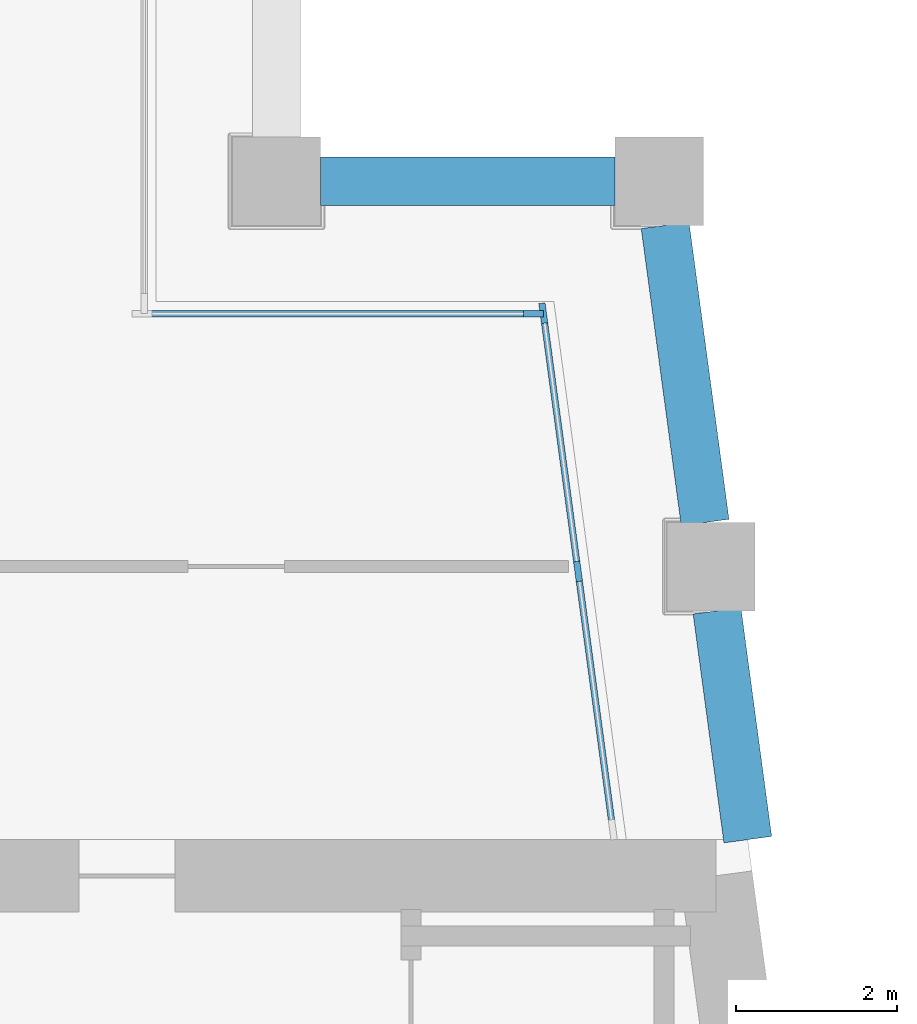
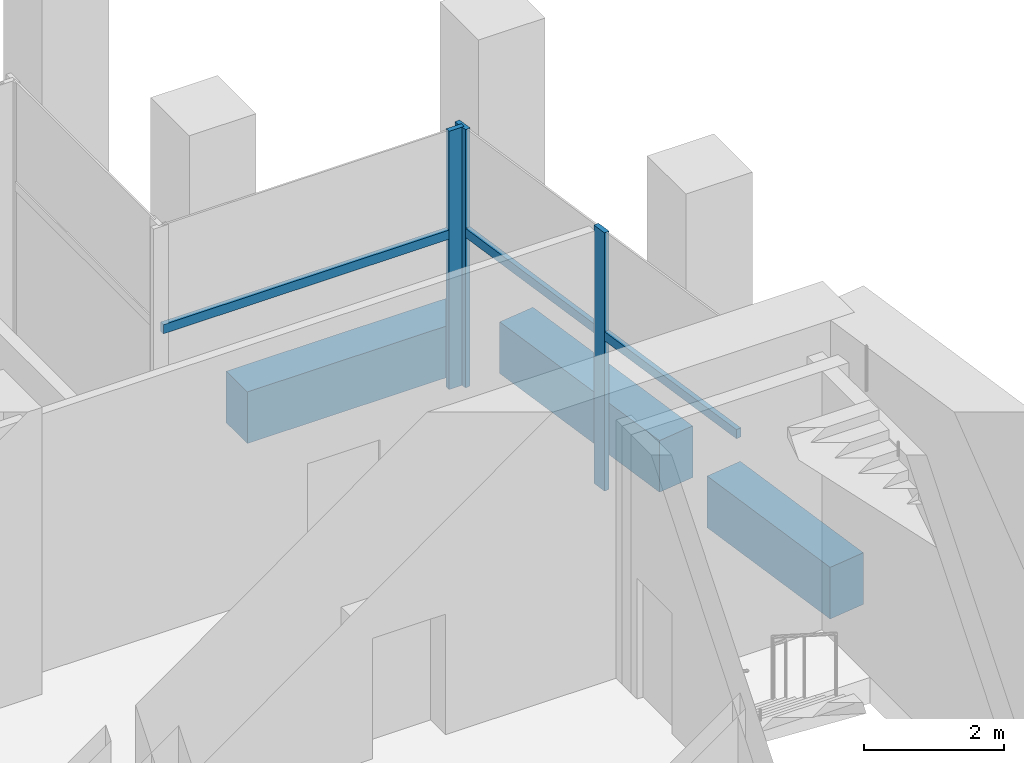
# One storey, part 5 of 16: 6 members, 3 beams, 2 elements without a shape of their own.
"""IFC4 building model written with IfcOpenShell, lengths in metres."""

from ifc_helpers import new_model, si_unit, direction, frame, origin, origin_2d, place, context, subcontext, project, spatial, rectangle, extrude, material, material_profile, profile_set, type_object, element, aggregate, save


model = new_model("IFC4")

# Units and contexts
model_context = context("Model", 3, precision=1e-05, world=origin(), true_north=direction((0.0, 1.0)))
body_context = subcontext(model_context, "Body", "Model", "MODEL_VIEW")
ifc_project = project(units=[si_unit("LENGTHUNIT", "METRE"), si_unit("AREAUNIT", "SQUARE_METRE"), si_unit("VOLUMEUNIT", "CUBIC_METRE"), si_unit("PLANEANGLEUNIT", "RADIAN"), si_unit("MASSUNIT", "GRAM", prefix="KILO")], contexts=[model_context])

# Site, building, storey
site_placement = place(None, origin())
site = spatial("IfcSite", under=ifc_project, at=site_placement, CompositionType="ELEMENT")
building_placement = place(site_placement, origin())
building = spatial("IfcBuilding", under=site, at=building_placement, Name="Candeia Pilgrim Tower and Theatre", CompositionType="ELEMENT")
storey_placement = place(building_placement, frame((0.0, 0.0, 192.199951171875)))
storey = spatial("IfcBuildingStorey", under=building, at=storey_placement, Name="L46", CompositionType="ELEMENT", Elevation=192.199951171875)

# Curtain wall, members
ifc_material_1 = material(Name="Aluminium framed sky lobby glazing", Category="aluminium")
curtain_wall_type = type_object("IfcCurtainWallType", Name="CW-S curtain wall", PredefinedType="NOTDEFINED", material=ifc_material_1)
curtain_wall_1_placement = place(storey_placement, origin())
curtain_wall_1 = element("IfcCurtainWall", 1, at=curtain_wall_1_placement, inside=storey, type_object=curtain_wall_type, Name="Curtain wall CW-S L46.310", PredefinedType="NOTDEFINED")
ifc_material_2 = material(Name="Anodised aluminium", Category="aluminium")
ifc_material_profile_1 = material_profile(ifc_material_2, rectangle(XDim=0.080078125, YDim=0.25, at=origin_2d()))
ifc_profile_set_1 = profile_set([ifc_material_profile_1], Name="Anodised aluminium")
member_type_1 = type_object("IfcMemberType", Name="CW-S mullion 80x250", PredefinedType="MULLION", material=ifc_profile_set_1)
member_1_placement = place(storey_placement, frame((136.0546875, 135.739990234375, 0.0), z_axis=(0.0, 0.0, 1.0), x_axis=(-0.991060661622, -0.133412012145, 0.0)))
member_1 = element("IfcMember", 2, at=member_1_placement, type_object=member_type_1, Name="CW-S mullion 2", PredefinedType="MULLION", context=body_context, shape_type="SweptSolid", body=[
    extrude(rectangle(XDim=0.080078125, YDim=0.25, at=origin_2d()), origin(), (0.0, 0.0, 1.0), 4.5),
])
member_2_placement = place(storey_placement, frame((135.621826171875, 138.9560546875, 0.0), z_axis=(0.0, 0.0, 1.0), x_axis=(-0.991060661622, -0.133412012145, 0.0)))
member_2 = element("IfcMember", 3, at=member_2_placement, type_object=member_type_1, Name="CW-S mullion 3", PredefinedType="MULLION", context=body_context, shape_type="SweptSolid", body=[
    extrude(rectangle(XDim=0.080078125, YDim=0.25, at=origin_2d()), origin(), (0.0, 0.0, 1.0), 4.5),
])

# Curtain wall, member
curtain_wall_2_placement = place(storey_placement, origin())
curtain_wall_2 = element("IfcCurtainWall", 4, at=curtain_wall_2_placement, inside=storey, type_object=curtain_wall_type, Name="Curtain wall CW-S L46.400", PredefinedType="NOTDEFINED")
member_3_placement = place(storey_placement, frame((135.49755859375, 138.949951171875, 0.0), z_axis=(0.0, 0.0, 1.0), x_axis=(0.0, -1.0, 0.0)))
member_3 = element("IfcMember", 5, at=member_3_placement, type_object=member_type_1, Name="CW-S mullion 1", PredefinedType="MULLION", context=body_context, shape_type="SweptSolid", body=[
    extrude(rectangle(XDim=0.080078125, YDim=0.25, at=origin_2d()), origin(), (0.0, 0.0, 1.0), 4.5),
])

# Member
ifc_material_profile_2 = material_profile(ifc_material_2, rectangle(XDim=0.080078125, YDim=0.159912109375, at=origin_2d()))
ifc_profile_set_2 = profile_set([ifc_material_profile_2], Name="Anodised aluminium")
member_type_2 = type_object("IfcMemberType", Name="CW-S transom 80x160", PredefinedType="USERDEFINED", material=ifc_profile_set_2)
member_4_placement = place(storey_placement, frame((136.482421875, 132.5634765625, 2.699951171875), z_axis=(-0.133436779219, 0.991057327278, 0.0), x_axis=(-0.991057327278, -0.133436779219, 0.0)))
member_4 = element("IfcMember", 6, at=member_4_placement, type_object=member_type_2, Name="CW-S transom 1.1", ObjectType="TRANSOM", PredefinedType="USERDEFINED", context=body_context, shape_type="SweptSolid", body=[
    extrude(rectangle(XDim=0.080078125, YDim=0.159912109375, at=origin_2d()), origin(), (0.0, 0.0, 1.0), 3.165283203125),
])

member_5_placement = place(storey_placement, frame((136.04931640625, 135.779541015625, 2.699951171875), z_axis=(-0.133361020312, 0.991067524572, 0.0), x_axis=(-0.991067524572, -0.133361020312, 0.0)))
member_5 = element("IfcMember", 7, at=member_5_placement, type_object=member_type_2, Name="CW-S transom 2.1", ObjectType="TRANSOM", PredefinedType="USERDEFINED", context=body_context, shape_type="SweptSolid", body=[
    extrude(rectangle(XDim=0.080078125, YDim=0.159912109375, at=origin_2d()), origin(), (0.0, 0.0, 1.0), 3.165283203125),
])

aggregate(curtain_wall_1, [member_1, member_2, member_4, member_5])

member_6_placement = place(storey_placement, frame((135.45751953125, 138.949951171875, 2.699951171875), z_axis=(-1.0, 0.0, 0.0), x_axis=(0.0, -1.0, 0.0)))
member_6 = element("IfcMember", 8, at=member_6_placement, type_object=member_type_2, Name="CW-S transom 1.1", ObjectType="TRANSOM", PredefinedType="USERDEFINED", context=body_context, shape_type="SweptSolid", body=[
    extrude(rectangle(XDim=0.080078125, YDim=0.159912109375, at=origin_2d()), origin(), (0.0, 0.0, 1.0), 4.79248046875),
])

aggregate(curtain_wall_2, [member_3, member_6])

# Beams
ifc_material_3 = material(Name="Concrete C60/75", Category="concrete")
ifc_material_profile_3 = material_profile(ifc_material_3, rectangle(XDim=0.60009765625, YDim=0.89990234375, at=origin_2d()))
ifc_profile_set_3 = profile_set([ifc_material_profile_3], Name="Concrete C60/75")
beam_type = type_object("IfcBeamType", Name="RC 600x900 C60/75", PredefinedType="BEAM", material=ifc_profile_set_3)
beam_1_placement = place(storey_placement, frame((138.169189453125, 132.39990234375, -0.449951171875), z_axis=(-0.133370319951, 0.99106627314, 0.0), x_axis=(-0.99106627314, -0.133370319951, 0.0)))
element("IfcBeam", 9, at=beam_1_placement, inside=storey, type_object=beam_type, Name="Spandrel beam L46-12", PredefinedType="BEAM", context=body_context, shape_type="SweptSolid", body=[
    extrude(rectangle(XDim=0.60009765625, YDim=0.89990234375, at=origin_2d()), origin(), (0.0, 0.0, 1.0), 2.875732421875),
])
beam_2_placement = place(storey_placement, frame((137.637451171875, 136.35009765625, -0.449951171875), z_axis=(-0.133405836075, 0.991061492997, 0.0), x_axis=(-0.991061492997, -0.133405836075, 0.0)))
element("IfcBeam", 10, at=beam_2_placement, inside=storey, type_object=beam_type, Name="Spandrel beam L46-13", PredefinedType="BEAM", context=body_context, shape_type="SweptSolid", body=[
    extrude(rectangle(XDim=0.60009765625, YDim=0.89990234375, at=origin_2d()), origin(), (0.0, 0.0, 1.0), 3.7333984375),
])
beam_3_placement = place(storey_placement, frame((136.515380859375, 140.60009765625, -0.449951171875), z_axis=(-1.0, 0.0, 0.0), x_axis=(0.0, -1.0, 0.0)))
element("IfcBeam", 11, at=beam_3_placement, inside=storey, type_object=beam_type, Name="Spandrel beam L46-14", PredefinedType="BEAM", context=body_context, shape_type="SweptSolid", body=[
    extrude(rectangle(XDim=0.60009765625, YDim=0.89990234375, at=origin_2d()), origin(), (0.0, 0.0, 1.0), 3.665283203125),
])

save(model, "model.ifc")
